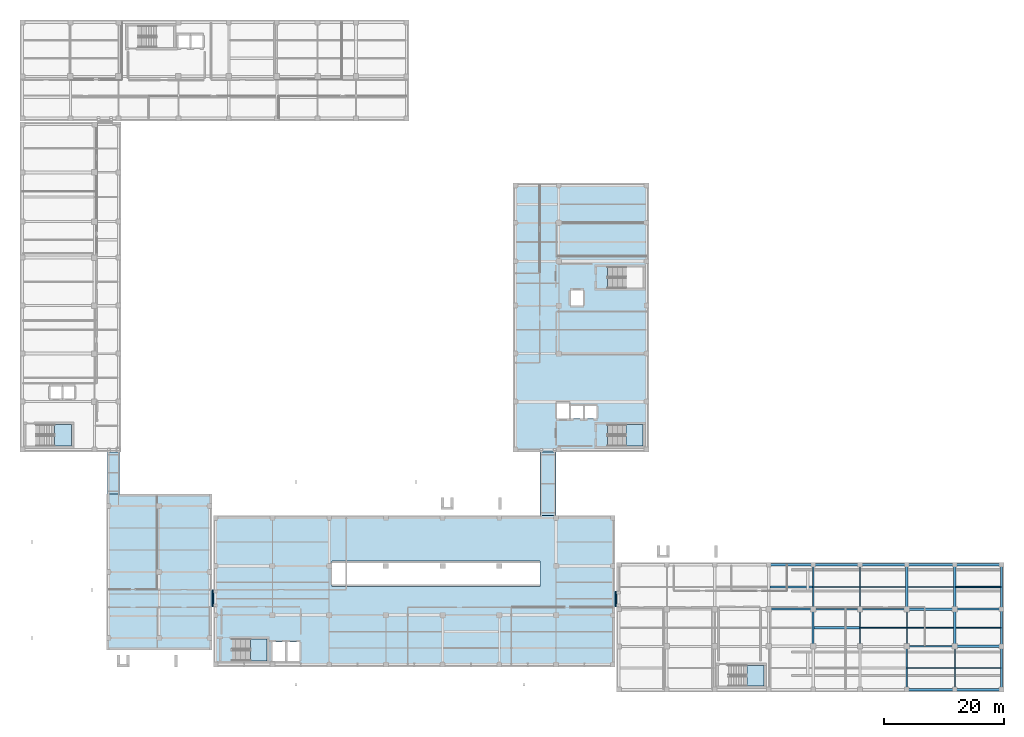
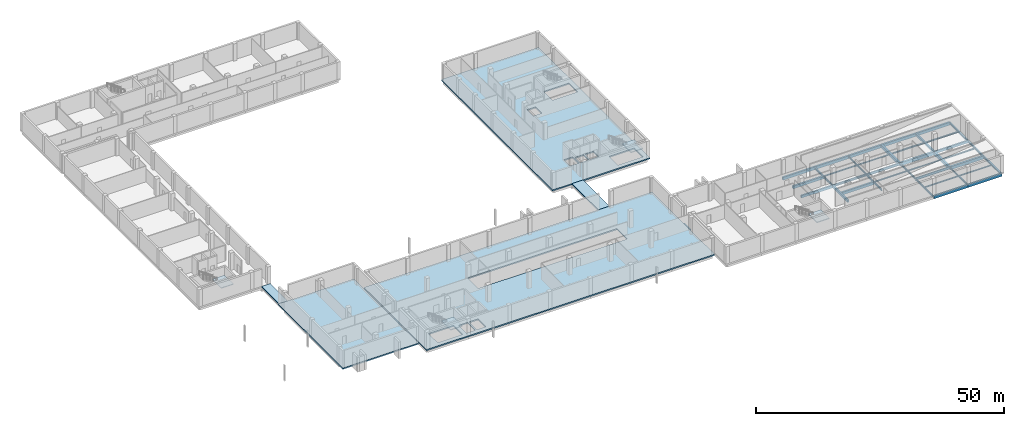
# One storey, part 13 of 31: 38 beams, 11 slabs, 4 elements without a shape of their own.
"""IFC4 building model written with IfcOpenShell, lengths in metres."""

from ifc_helpers import new_model, si_unit, direction, frame, origin, origin_2d, place, context, subcontext, project, spatial, polyline, rectangle, i_section, outline, extrude, material, layer, layer_set, material_profile, profile_set, type_object, element, aggregate, save


model = new_model("IFC4")

# Units and contexts
model_context = context("Model", 3, precision=1e-05, world=origin(), true_north=direction((0.0, 1.0)))
body_context = subcontext(model_context, "Body", "Model", "MODEL_VIEW")
ifc_project = project(units=[si_unit("LENGTHUNIT", "METRE"), si_unit("AREAUNIT", "SQUARE_METRE"), si_unit("VOLUMEUNIT", "CUBIC_METRE"), si_unit("PLANEANGLEUNIT", "RADIAN"), si_unit("MASSUNIT", "GRAM", prefix="KILO")], contexts=[model_context])

# Site, building, storey
site_placement = place(None, origin())
site = spatial("IfcSite", under=ifc_project, at=site_placement, CompositionType="ELEMENT")
building_placement = place(site_placement, origin())
building = spatial("IfcBuilding", under=site, at=building_placement, Name="Qalavern Law Courts", CompositionType="ELEMENT")
storey_placement = place(building_placement, frame((0.0, 0.0, -4.199951171875)))
storey = spatial("IfcBuildingStorey", under=building, at=storey_placement, Name="B1", CompositionType="ELEMENT", Elevation=-4.199951171875)

# Beams
ifc_material_1 = material(Name="Steel S355", Category="steel")
ifc_material_profile_1 = material_profile(ifc_material_1, i_section(OverallWidth=0.300048828125, OverallDepth=0.489990234375, WebThickness=0.011962890625, FlangeThickness=0.02294921875, FilletRadius=0.027099609375, at=origin_2d()), Name="HEA 500")
ifc_profile_set_1 = profile_set([ifc_material_profile_1], Name="Steel S355")
beam_type_1 = type_object("IfcBeamType", Name="STR-BM-HEA500", PredefinedType="BEAM", material=ifc_profile_set_1)
beam_1_placement = place(storey_placement, frame((134.199951171875, 14.800048828125, -0.56494140625), z_axis=(1.0, 0.0, 0.0), x_axis=(0.0, 1.0, 0.0)))
element("IfcBeam", 1, at=beam_1_placement, inside=storey, type_object=beam_type_1, Name="V6 X-beam 3-5 B1", PredefinedType="BEAM", context=body_context, shape_type="SweptSolid", body=[
    extrude(i_section(OverallWidth=0.300048828125, OverallDepth=0.489990234375, WebThickness=0.011962890625, FlangeThickness=0.02294921875, FilletRadius=0.027099609375, at=origin_2d()), origin(), (0.0, 0.0, 1.0), 7.800048828125),
])
ifc_material_profile_2 = material_profile(ifc_material_1, i_section(OverallWidth=0.179931640625, OverallDepth=0.39990234375, WebThickness=0.008544921875, FlangeThickness=0.013427734375, FilletRadius=0.02099609375, at=origin_2d()), Name="IPE 400")
ifc_profile_set_2 = profile_set([ifc_material_profile_2], Name="Steel S355")
beam_type_2 = type_object("IfcBeamType", Name="STR-BM-IPE400", PredefinedType="BEAM", material=ifc_profile_set_2)
beam_2_placement = place(storey_placement, frame((142.0, 14.800048828125, -0.52001953125), z_axis=(0.0, 1.0, 0.0), x_axis=(-1.0, 0.0, 0.0)))
element("IfcBeam", 2, at=beam_2_placement, inside=storey, type_object=beam_type_2, Name="V6 Y-beam 6-3 B1", PredefinedType="BEAM", context=body_context, shape_type="SweptSolid", body=[
    extrude(i_section(OverallWidth=0.179931640625, OverallDepth=0.39990234375, WebThickness=0.008544921875, FlangeThickness=0.013427734375, FilletRadius=0.02099609375, at=origin_2d()), origin(), (0.0, 0.0, 1.0), 7.39990234375),
])
beam_3_placement = place(storey_placement, frame((149.800048828125, 8.60009765625, -0.52001953125), z_axis=(0.0, 1.0, 0.0), x_axis=(-1.0, 0.0, 0.0)))
element("IfcBeam", 3, at=beam_3_placement, inside=storey, type_object=beam_type_2, Name="V6 Y-beam 7-2 B1", PredefinedType="BEAM", context=body_context, shape_type="SweptSolid", body=[
    extrude(i_section(OverallWidth=0.179931640625, OverallDepth=0.39990234375, WebThickness=0.008544921875, FlangeThickness=0.013427734375, FilletRadius=0.02099609375, at=origin_2d()), origin(), (0.0, 0.0, 1.0), 6.199951171875),
])
beam_4_placement = place(storey_placement, frame((157.800048828125, 1.39990234375, -0.52001953125), z_axis=(0.0, 1.0, 0.0), x_axis=(-1.0, 0.0, 0.0)))
element("IfcBeam", 4, at=beam_4_placement, inside=storey, type_object=beam_type_2, Name="V6 Y-beam 8-1 B1", PredefinedType="BEAM", context=body_context, shape_type="SweptSolid", body=[
    extrude(i_section(OverallWidth=0.179931640625, OverallDepth=0.39990234375, WebThickness=0.008544921875, FlangeThickness=0.013427734375, FilletRadius=0.02099609375, at=origin_2d()), origin(), (0.0, 0.0, 1.0), 7.2001953125),
])
ifc_material_profile_3 = material_profile(ifc_material_1, i_section(OverallWidth=0.199951171875, OverallDepth=0.5, WebThickness=0.01025390625, FlangeThickness=0.01611328125, FilletRadius=0.02099609375, at=origin_2d()), Name="IPE 500")
ifc_profile_set_3 = profile_set([ifc_material_profile_3], Name="Steel S355")
beam_type_3 = type_object("IfcBeamType", Name="STR-BM-IPE500", PredefinedType="BEAM", material=ifc_profile_set_3)
beam_5_placement = place(storey_placement, frame((134.199951171875, 14.800048828125, -0.570068359375), z_axis=(0.0, 1.0, 0.0), x_axis=(-1.0, 0.0, 0.0)))
element("IfcBeam", 5, at=beam_5_placement, inside=storey, type_object=beam_type_3, Name="V6 Y-beam 5-3 B1", PredefinedType="BEAM", context=body_context, shape_type="SweptSolid", body=[
    extrude(i_section(OverallWidth=0.199951171875, OverallDepth=0.5, WebThickness=0.01025390625, FlangeThickness=0.01611328125, FilletRadius=0.02099609375, at=origin_2d()), origin(), (0.0, 0.0, 1.0), 7.39990234375),
])
beam_6_placement = place(storey_placement, frame((142.0, 8.60009765625, -0.570068359375), z_axis=(0.0, 1.0, 0.0), x_axis=(-1.0, 0.0, 0.0)))
element("IfcBeam", 6, at=beam_6_placement, inside=storey, type_object=beam_type_3, Name="V6 Y-beam 6-2 B1", PredefinedType="BEAM", context=body_context, shape_type="SweptSolid", body=[
    extrude(i_section(OverallWidth=0.199951171875, OverallDepth=0.5, WebThickness=0.01025390625, FlangeThickness=0.01611328125, FilletRadius=0.02099609375, at=origin_2d()), origin(), (0.0, 0.0, 1.0), 6.199951171875),
])
beam_7_placement = place(storey_placement, frame((149.800048828125, 1.39990234375, -0.570068359375), z_axis=(0.0, 1.0, 0.0), x_axis=(-1.0, 0.0, 0.0)))
element("IfcBeam", 7, at=beam_7_placement, inside=storey, type_object=beam_type_3, Name="V6 Y-beam 7-1 B1", PredefinedType="BEAM", context=body_context, shape_type="SweptSolid", body=[
    extrude(i_section(OverallWidth=0.199951171875, OverallDepth=0.5, WebThickness=0.01025390625, FlangeThickness=0.01611328125, FilletRadius=0.02099609375, at=origin_2d()), origin(), (0.0, 0.0, 1.0), 7.2001953125),
])
ifc_material_profile_4 = material_profile(ifc_material_1, i_section(OverallWidth=0.219970703125, OverallDepth=0.60009765625, WebThickness=0.011962890625, FlangeThickness=0.01904296875, FilletRadius=0.02392578125, at=origin_2d()), Name="IPE 600")
ifc_profile_set_4 = profile_set([ifc_material_profile_4], Name="Steel S355")
beam_type_4 = type_object("IfcBeamType", Name="STR-BM-IPE600", PredefinedType="BEAM", material=ifc_profile_set_4)
beam_8_placement = place(storey_placement, frame((149.800048828125, 8.60009765625, -0.6201171875), z_axis=(1.0, 0.0, 0.0), x_axis=(0.0, 1.0, 0.0)))
element("IfcBeam", 8, at=beam_8_placement, inside=storey, type_object=beam_type_4, Name="V6 X-beam 2-7 B1", PredefinedType="BEAM", context=body_context, shape_type="SweptSolid", body=[
    extrude(i_section(OverallWidth=0.219970703125, OverallDepth=0.60009765625, WebThickness=0.011962890625, FlangeThickness=0.01904296875, FilletRadius=0.02392578125, at=origin_2d()), origin(), (0.0, 0.0, 1.0), 8.0),
])
beam_9_placement = place(storey_placement, frame((142.0, 14.800048828125, -0.6201171875), z_axis=(1.0, 0.0, 0.0), x_axis=(0.0, 1.0, 0.0)))
element("IfcBeam", 9, at=beam_9_placement, inside=storey, type_object=beam_type_4, Name="V6 X-beam 3-6 B1", PredefinedType="BEAM", context=body_context, shape_type="SweptSolid", body=[
    extrude(i_section(OverallWidth=0.219970703125, OverallDepth=0.60009765625, WebThickness=0.011962890625, FlangeThickness=0.01904296875, FilletRadius=0.02392578125, at=origin_2d()), origin(), (0.0, 0.0, 1.0), 7.800048828125),
])
ifc_material_2 = material(Name="Concrete C35/45", Category="concrete")
ifc_material_profile_5 = material_profile(ifc_material_2, rectangle(XDim=0.35009765625, YDim=0.550048828125, at=origin_2d()), Name="RC 350x550")
ifc_profile_set_5 = profile_set([ifc_material_profile_5], Name="Concrete C35/45")
beam_type_5 = type_object("IfcBeamType", Name="STR-BM-RC350x550", PredefinedType="BEAM", material=ifc_profile_set_5)
beam_10_placement = place(storey_placement, frame((134.199951171875, 8.60009765625, -0.594970703125), z_axis=(0.0, 1.0, 0.0), x_axis=(-1.0, 0.0, 0.0)))
element("IfcBeam", 10, at=beam_10_placement, inside=storey, type_object=beam_type_5, Name="V6 Y-beam 5-2 B1", PredefinedType="BEAM", context=body_context, shape_type="SweptSolid", body=[
    extrude(rectangle(XDim=0.35009765625, YDim=0.550048828125, at=origin_2d()), origin(), (0.0, 0.0, 1.0), 6.199951171875),
])
beam_11_placement = place(storey_placement, frame((157.800048828125, 14.800048828125, -0.594970703125), z_axis=(0.0, 1.0, 0.0), x_axis=(-1.0, 0.0, 0.0)))
element("IfcBeam", 11, at=beam_11_placement, inside=storey, type_object=beam_type_5, Name="V6 Y-beam 8-3 B1", PredefinedType="BEAM", context=body_context, shape_type="SweptSolid", body=[
    extrude(rectangle(XDim=0.35009765625, YDim=0.550048828125, at=origin_2d()), origin(), (0.0, 0.0, 1.0), 7.39990234375),
])
ifc_material_profile_6 = material_profile(ifc_material_2, rectangle(XDim=0.35009765625, YDim=0.60009765625, at=origin_2d()), Name="RC 350x600")
ifc_profile_set_6 = profile_set([ifc_material_profile_6], Name="Concrete C35/45")
beam_type_6 = type_object("IfcBeamType", Name="STR-BM-RC350x600", PredefinedType="BEAM", material=ifc_profile_set_6)
beam_12_placement = place(storey_placement, frame((126.800048828125, 14.800048828125, -0.6201171875), z_axis=(1.0, 0.0, 0.0), x_axis=(0.0, 1.0, 0.0)))
element("IfcBeam", 12, at=beam_12_placement, inside=storey, type_object=beam_type_6, Name="V6 X-beam 3-4 B1", PredefinedType="BEAM", context=body_context, shape_type="SweptSolid", body=[
    extrude(rectangle(XDim=0.35009765625, YDim=0.60009765625, at=origin_2d()), origin(), (0.0, 0.0, 1.0), 7.39990234375),
])
beam_13_placement = place(storey_placement, frame((157.800048828125, 14.800048828125, -0.6201171875), z_axis=(1.0, 0.0, 0.0), x_axis=(0.0, 1.0, 0.0)))
element("IfcBeam", 13, at=beam_13_placement, inside=storey, type_object=beam_type_6, Name="V6 X-beam 3-8 B1", PredefinedType="BEAM", context=body_context, shape_type="SweptSolid", body=[
    extrude(rectangle(XDim=0.35009765625, YDim=0.60009765625, at=origin_2d()), origin(), (0.0, 0.0, 1.0), 7.800048828125),
])
ifc_material_3 = material(Name="Concrete C40/50", Category="concrete")
ifc_material_profile_7 = material_profile(ifc_material_3, rectangle(XDim=0.449951171875, YDim=0.75, at=origin_2d()), Name="RC 450x750")
ifc_profile_set_7 = profile_set([ifc_material_profile_7], Name="Concrete C40/50")
beam_type_7 = type_object("IfcBeamType", Name="STR-BM-RC450x750", PredefinedType="BEAM", material=ifc_profile_set_7)
beam_14_placement = place(storey_placement, frame((157.800048828125, 8.60009765625, -0.695068359375), z_axis=(1.0, 0.0, 0.0), x_axis=(0.0, 1.0, 0.0)))
element("IfcBeam", 14, at=beam_14_placement, inside=storey, type_object=beam_type_7, Name="V6 X-beam 2-8 B1", PredefinedType="BEAM", context=body_context, shape_type="SweptSolid", body=[
    extrude(rectangle(XDim=0.449951171875, YDim=0.75, at=origin_2d()), origin(), (0.0, 0.0, 1.0), 7.800048828125),
])
beam_15_placement = place(storey_placement, frame((149.800048828125, 14.800048828125, -0.695068359375), z_axis=(1.0, 0.0, 0.0), x_axis=(0.0, 1.0, 0.0)))
element("IfcBeam", 15, at=beam_15_placement, inside=storey, type_object=beam_type_7, Name="V6 X-beam 3-7 B1", PredefinedType="BEAM", context=body_context, shape_type="SweptSolid", body=[
    extrude(rectangle(XDim=0.449951171875, YDim=0.75, at=origin_2d()), origin(), (0.0, 0.0, 1.0), 8.0),
])
beam_16_placement = place(storey_placement, frame((149.800048828125, 14.800048828125, -0.695068359375), z_axis=(0.0, 1.0, 0.0), x_axis=(-1.0, 0.0, 0.0)))
element("IfcBeam", 16, at=beam_16_placement, inside=storey, type_object=beam_type_7, Name="V6 Y-beam 7-3 B1", PredefinedType="BEAM", context=body_context, shape_type="SweptSolid", body=[
    extrude(rectangle(XDim=0.449951171875, YDim=0.75, at=origin_2d()), origin(), (0.0, 0.0, 1.0), 7.39990234375),
])
beam_17_placement = place(storey_placement, frame((157.800048828125, 8.60009765625, -0.695068359375), z_axis=(0.0, 1.0, 0.0), x_axis=(-1.0, 0.0, 0.0)))
element("IfcBeam", 17, at=beam_17_placement, inside=storey, type_object=beam_type_7, Name="V6 Y-beam 8-2 B1", PredefinedType="BEAM", context=body_context, shape_type="SweptSolid", body=[
    extrude(rectangle(XDim=0.449951171875, YDim=0.75, at=origin_2d()), origin(), (0.0, 0.0, 1.0), 6.199951171875),
])
ifc_material_profile_8 = material_profile(ifc_material_1, i_section(OverallWidth=0.135009765625, OverallDepth=0.27001953125, WebThickness=0.006591796875, FlangeThickness=0.01025390625, FilletRadius=0.014892578125, at=origin_2d()), Name="IPE 270")
ifc_profile_set_8 = profile_set([ifc_material_profile_8], Name="Steel S355")
beam_type_8 = type_object("IfcBeamType", Name="STR-JST-IPE270", PredefinedType="JOIST", material=ifc_profile_set_8)
beam_18_placement = place(storey_placement, frame((150.02294921875, 18.5, -0.455078125), z_axis=(1.0, 0.0, 0.0), x_axis=(0.0, 1.0, 0.0)))
element("IfcBeam", 18, at=beam_18_placement, inside=storey, type_object=beam_type_8, Name="V6 secondary joist 7.3.1 B1", PredefinedType="JOIST", context=body_context, shape_type="SweptSolid", body=[
    extrude(i_section(OverallWidth=0.135009765625, OverallDepth=0.27001953125, WebThickness=0.006591796875, FlangeThickness=0.01025390625, FilletRadius=0.014892578125, at=origin_2d()), origin(), (0.0, 0.0, 1.0), 7.60400390625),
])
beam_19_placement = place(storey_placement, frame((158.02294921875, 11.699951171875, -0.455078125), z_axis=(1.0, 0.0, 0.0), x_axis=(0.0, 1.0, 0.0)))
element("IfcBeam", 19, at=beam_19_placement, inside=storey, type_object=beam_type_8, Name="V6 secondary joist 8.2.1 B1", PredefinedType="JOIST", context=body_context, shape_type="SweptSolid", body=[
    extrude(i_section(OverallWidth=0.135009765625, OverallDepth=0.27001953125, WebThickness=0.006591796875, FlangeThickness=0.01025390625, FilletRadius=0.014892578125, at=origin_2d()), origin(), (0.0, 0.0, 1.0), 7.428955078125),
])
ifc_material_profile_9 = material_profile(ifc_material_1, i_section(OverallWidth=0.14990234375, OverallDepth=0.300048828125, WebThickness=0.007080078125, FlangeThickness=0.0107421875, FilletRadius=0.014892578125, at=origin_2d()), Name="IPE 300")
ifc_profile_set_9 = profile_set([ifc_material_profile_9], Name="Steel S355")
beam_type_9 = type_object("IfcBeamType", Name="STR-JST-IPE300", PredefinedType="JOIST", material=ifc_profile_set_9)
beam_20_placement = place(storey_placement, frame((142.087890625, 18.5, -0.469970703125), z_axis=(1.0, 0.0, 0.0), x_axis=(0.0, 1.0, 0.0)))
element("IfcBeam", 20, at=beam_20_placement, inside=storey, type_object=beam_type_9, Name="V6 secondary joist 6.3.1 B1", PredefinedType="JOIST", context=body_context, shape_type="SweptSolid", body=[
    extrude(i_section(OverallWidth=0.14990234375, OverallDepth=0.300048828125, WebThickness=0.007080078125, FlangeThickness=0.0107421875, FilletRadius=0.014892578125, at=origin_2d()), origin(), (0.0, 0.0, 1.0), 7.489013671875),
])
beam_21_placement = place(storey_placement, frame((149.887939453125, 11.699951171875, -0.469970703125), z_axis=(1.0, 0.0, 0.0), x_axis=(0.0, 1.0, 0.0)))
element("IfcBeam", 21, at=beam_21_placement, inside=storey, type_object=beam_type_9, Name="V6 secondary joist 7.2.1 B1", PredefinedType="JOIST", context=body_context, shape_type="SweptSolid", body=[
    extrude(i_section(OverallWidth=0.14990234375, OverallDepth=0.300048828125, WebThickness=0.007080078125, FlangeThickness=0.0107421875, FilletRadius=0.014892578125, at=origin_2d()), origin(), (0.0, 0.0, 1.0), 7.68896484375),
])
beam_22_placement = place(storey_placement, frame((157.887939453125, 5.0, -0.469970703125), z_axis=(1.0, 0.0, 0.0), x_axis=(0.0, 1.0, 0.0)))
element("IfcBeam", 22, at=beam_22_placement, inside=storey, type_object=beam_type_9, Name="V6 secondary joist 8.1.1 B1", PredefinedType="JOIST", context=body_context, shape_type="SweptSolid", body=[
    extrude(i_section(OverallWidth=0.14990234375, OverallDepth=0.300048828125, WebThickness=0.007080078125, FlangeThickness=0.0107421875, FilletRadius=0.014892578125, at=origin_2d()), origin(), (0.0, 0.0, 1.0), 7.56396484375),
])
ifc_material_profile_10 = material_profile(ifc_material_1, i_section(OverallWidth=0.159912109375, OverallDepth=0.330078125, WebThickness=0.007568359375, FlangeThickness=0.011474609375, FilletRadius=0.01806640625, at=origin_2d()), Name="IPE 330")
ifc_profile_set_10 = profile_set([ifc_material_profile_10], Name="Steel S355")
beam_type_10 = type_object("IfcBeamType", Name="STR-JST-IPE330", PredefinedType="JOIST", material=ifc_profile_set_10)
for number, where, z_axis, x_axis, name in (
    (23, (134.298095703125, 18.5, -0.485107421875), (1.0, 0.0, 0.0), (0.0, 1.0, 0.0), "V6 secondary joist 5.3.1 B1"),
    (24, (142.097900390625, 11.699951171875, -0.485107421875), (1.0, 0.0, 0.0), (0.0, 1.0, 0.0), "V6 secondary joist 6.2.1 B1"),
):
    element("IfcBeam", number, at=place(storey_placement, frame(where, z_axis=z_axis, x_axis=x_axis)), inside=storey, type_object=beam_type_10, Name=name, PredefinedType="JOIST", context=body_context, shape_type="SweptSolid", body=[
        extrude(i_section(OverallWidth=0.159912109375, OverallDepth=0.330078125, WebThickness=0.007568359375, FlangeThickness=0.011474609375, FilletRadius=0.01806640625, at=origin_2d()), origin(), (0.0, 0.0, 1.0), 7.614013671875),
    ])
beam_23_placement = place(storey_placement, frame((149.89794921875, 5.0, -0.485107421875), z_axis=(1.0, 0.0, 0.0), x_axis=(0.0, 1.0, 0.0)))
element("IfcBeam", 25, at=beam_23_placement, inside=storey, type_object=beam_type_10, Name="V6 secondary joist 7.1.1 B1", PredefinedType="JOIST", context=body_context, shape_type="SweptSolid", body=[
    extrude(i_section(OverallWidth=0.159912109375, OverallDepth=0.330078125, WebThickness=0.007568359375, FlangeThickness=0.011474609375, FilletRadius=0.01806640625, at=origin_2d()), origin(), (0.0, 0.0, 1.0), 7.81396484375),
])
ifc_material_profile_11 = material_profile(ifc_material_1, i_section(OverallWidth=0.169921875, OverallDepth=0.360107421875, WebThickness=0.008056640625, FlangeThickness=0.0126953125, FilletRadius=0.01806640625, at=origin_2d()), Name="IPE 360")
ifc_profile_set_11 = profile_set([ifc_material_profile_11], Name="Steel S355")
beam_type_11 = type_object("IfcBeamType", Name="STR-JST-IPE360", PredefinedType="JOIST", material=ifc_profile_set_11)
beam_24_placement = place(storey_placement, frame((157.972900390625, 18.5, -0.5), z_axis=(1.0, 0.0, 0.0), x_axis=(0.0, 1.0, 0.0)))
element("IfcBeam", 26, at=beam_24_placement, inside=storey, type_object=beam_type_11, Name="V6 secondary joist 8.3.1 B1", PredefinedType="JOIST", context=body_context, shape_type="SweptSolid", body=[
    extrude(i_section(OverallWidth=0.169921875, OverallDepth=0.360107421875, WebThickness=0.008056640625, FlangeThickness=0.0126953125, FilletRadius=0.01806640625, at=origin_2d()), origin(), (0.0, 0.0, 1.0), 7.47900390625),
])
ifc_material_profile_12 = material_profile(ifc_material_2, rectangle(XDim=0.39990234375, YDim=0.64990234375, at=origin_2d()), Name="RC 400x650")
ifc_profile_set_12 = profile_set([ifc_material_profile_12], Name="Concrete C35/45")
beam_type_12 = type_object("IfcBeamType", Name="STR-JST-RC400x650", PredefinedType="JOIST", material=ifc_profile_set_12)
beam_25_placement = place(storey_placement, frame((126.972900390625, 18.5, -0.64501953125), z_axis=(1.0, 0.0, 0.0), x_axis=(0.0, 1.0, 0.0)))
element("IfcBeam", 27, at=beam_25_placement, inside=storey, type_object=beam_type_12, Name="V6 secondary joist 4.3.1 B1", PredefinedType="JOIST", context=body_context, shape_type="SweptSolid", body=[
    extrude(rectangle(XDim=0.39990234375, YDim=0.64990234375, at=origin_2d()), origin(), (0.0, 0.0, 1.0), 7.129150390625),
])
beam_26_placement = place(storey_placement, frame((134.373046875, 11.699951171875, -0.64501953125), z_axis=(1.0, 0.0, 0.0), x_axis=(0.0, 1.0, 0.0)))
element("IfcBeam", 28, at=beam_26_placement, inside=storey, type_object=beam_type_12, Name="V6 secondary joist 5.2.1 B1", PredefinedType="JOIST", context=body_context, shape_type="SweptSolid", body=[
    extrude(rectangle(XDim=0.39990234375, YDim=0.64990234375, at=origin_2d()), origin(), (0.0, 0.0, 1.0), 7.529052734375),
])
ifc_material_profile_13 = material_profile(ifc_material_1, i_section(OverallWidth=0.300048828125, OverallDepth=0.449951171875, WebThickness=0.013916015625, FlangeThickness=0.02587890625, FilletRadius=0.027099609375, at=origin_2d()), Name="HEB 450")
ifc_profile_set_13 = profile_set([ifc_material_profile_13], Name="Steel S355")
beam_type_13 = type_object("IfcBeamType", Name="STR-SP-HEB450", PredefinedType="SPANDREL", material=ifc_profile_set_13)
beam_27_placement = place(storey_placement, frame((165.60009765625, 1.39990234375, -0.545166015625), z_axis=(0.0, 1.0, 0.0), x_axis=(-1.0, 0.0, 0.0)))
element("IfcBeam", 29, at=beam_27_placement, inside=storey, type_object=beam_type_13, Name="V6 Y-beam 9-1 B1", PredefinedType="SPANDREL", context=body_context, shape_type="SweptSolid", body=[
    extrude(i_section(OverallWidth=0.300048828125, OverallDepth=0.449951171875, WebThickness=0.013916015625, FlangeThickness=0.02587890625, FilletRadius=0.027099609375, at=origin_2d()), origin(), (0.0, 0.0, 1.0), 7.2001953125),
])
beam_28_placement = place(storey_placement, frame((165.60009765625, 8.60009765625, -0.545166015625), z_axis=(0.0, 1.0, 0.0), x_axis=(-1.0, 0.0, 0.0)))
element("IfcBeam", 30, at=beam_28_placement, inside=storey, type_object=beam_type_13, Name="V6 Y-beam 9-2 B1", PredefinedType="SPANDREL", context=body_context, shape_type="SweptSolid", body=[
    extrude(i_section(OverallWidth=0.300048828125, OverallDepth=0.449951171875, WebThickness=0.013916015625, FlangeThickness=0.02587890625, FilletRadius=0.027099609375, at=origin_2d()), origin(), (0.0, 0.0, 1.0), 6.199951171875),
])
beam_29_placement = place(storey_placement, frame((165.60009765625, 14.800048828125, -0.545166015625), z_axis=(0.0, 1.0, 0.0), x_axis=(-1.0, 0.0, 0.0)))
element("IfcBeam", 31, at=beam_29_placement, inside=storey, type_object=beam_type_13, Name="V6 Y-beam 9-3 B1", PredefinedType="SPANDREL", context=body_context, shape_type="SweptSolid", body=[
    extrude(i_section(OverallWidth=0.300048828125, OverallDepth=0.449951171875, WebThickness=0.013916015625, FlangeThickness=0.02587890625, FilletRadius=0.027099609375, at=origin_2d()), origin(), (0.0, 0.0, 1.0), 7.39990234375),
])
ifc_material_profile_14 = material_profile(ifc_material_3, rectangle(XDim=0.39990234375, YDim=0.699951171875, at=origin_2d()), Name="RC 400x700")
ifc_profile_set_14 = profile_set([ifc_material_profile_14], Name="Concrete C40/50")
beam_type_14 = type_object("IfcBeamType", Name="STR-SP-RC400x700", PredefinedType="SPANDREL", material=ifc_profile_set_14)
beam_30_placement = place(storey_placement, frame((149.800048828125, 1.39990234375, -0.670166015625), z_axis=(1.0, 0.0, 0.0), x_axis=(0.0, 1.0, 0.0)))
element("IfcBeam", 32, at=beam_30_placement, inside=storey, type_object=beam_type_14, Name="V6 X-beam 1-7 B1", PredefinedType="SPANDREL", context=body_context, shape_type="SweptSolid", body=[
    extrude(rectangle(XDim=0.39990234375, YDim=0.699951171875, at=origin_2d()), origin(), (0.0, 0.0, 1.0), 8.0),
])
beam_31_placement = place(storey_placement, frame((157.800048828125, 1.39990234375, -0.670166015625), z_axis=(1.0, 0.0, 0.0), x_axis=(0.0, 1.0, 0.0)))
element("IfcBeam", 33, at=beam_31_placement, inside=storey, type_object=beam_type_14, Name="V6 X-beam 1-8 B1", PredefinedType="SPANDREL", context=body_context, shape_type="SweptSolid", body=[
    extrude(rectangle(XDim=0.39990234375, YDim=0.699951171875, at=origin_2d()), origin(), (0.0, 0.0, 1.0), 7.800048828125),
])
beam_32_placement = place(storey_placement, frame((126.800048828125, 22.199951171875, -0.670166015625), z_axis=(1.0, 0.0, 0.0), x_axis=(0.0, 1.0, 0.0)))
element("IfcBeam", 34, at=beam_32_placement, inside=storey, type_object=beam_type_14, Name="V6 X-beam 4-4 B1", PredefinedType="SPANDREL", context=body_context, shape_type="SweptSolid", body=[
    extrude(rectangle(XDim=0.39990234375, YDim=0.699951171875, at=origin_2d()), origin(), (0.0, 0.0, 1.0), 7.39990234375),
])
for number, where, z_axis, x_axis, name in (
    (35, (134.199951171875, 22.199951171875, -0.670166015625), (1.0, 0.0, 0.0), (0.0, 1.0, 0.0), "V6 X-beam 4-5 B1"),
    (36, (142.0, 22.199951171875, -0.670166015625), (1.0, 0.0, 0.0), (0.0, 1.0, 0.0), "V6 X-beam 4-6 B1"),
):
    element("IfcBeam", number, at=place(storey_placement, frame(where, z_axis=z_axis, x_axis=x_axis)), inside=storey, type_object=beam_type_14, Name=name, PredefinedType="SPANDREL", context=body_context, shape_type="SweptSolid", body=[
        extrude(rectangle(XDim=0.39990234375, YDim=0.699951171875, at=origin_2d()), origin(), (0.0, 0.0, 1.0), 7.800048828125),
    ])
beam_33_placement = place(storey_placement, frame((149.800048828125, 22.199951171875, -0.670166015625), z_axis=(1.0, 0.0, 0.0), x_axis=(0.0, 1.0, 0.0)))
element("IfcBeam", 37, at=beam_33_placement, inside=storey, type_object=beam_type_14, Name="V6 X-beam 4-7 B1", PredefinedType="SPANDREL", context=body_context, shape_type="SweptSolid", body=[
    extrude(rectangle(XDim=0.39990234375, YDim=0.699951171875, at=origin_2d()), origin(), (0.0, 0.0, 1.0), 8.0),
])
beam_34_placement = place(storey_placement, frame((157.800048828125, 22.199951171875, -0.670166015625), z_axis=(1.0, 0.0, 0.0), x_axis=(0.0, 1.0, 0.0)))
element("IfcBeam", 38, at=beam_34_placement, inside=storey, type_object=beam_type_14, Name="V6 X-beam 4-8 B1", PredefinedType="SPANDREL", context=body_context, shape_type="SweptSolid", body=[
    extrude(rectangle(XDim=0.39990234375, YDim=0.699951171875, at=origin_2d()), origin(), (0.0, 0.0, 1.0), 7.800048828125),
])

# Stair, slab
stair_type_1 = type_object("IfcStairType", Name="INT-STAIR-1700", PredefinedType="HALF_TURN_STAIR", material=ifc_material_2)
stair_1_placement = place(storey_placement, origin())
stair_1 = element("IfcStair", 39, at=stair_1_placement, inside=storey, type_object=stair_type_1, Name="B1 ST-K1A", PredefinedType="HALF_TURN_STAIR")
ifc_layer_1 = layer(ifc_material_2, 0.199951171875)
ifc_layer_set_1 = layer_set([ifc_layer_1], Name="Concrete C35/45")
slab_type_1 = type_object("IfcSlabType", Name="INT-LANDING-200", PredefinedType="LANDING", material=ifc_layer_set_1)
slab_1_placement = place(storey_placement, frame((0.0, 0.0, 1.89990234375)))
slab_1 = element("IfcSlab", 40, at=slab_1_placement, type_object=slab_type_1, Name="ST-K1A landing 1", PredefinedType="LANDING", context=body_context, shape_type="SweptSolid", body=[
    extrude(outline(polyline([(102.97998046875, 42.0), (105.800048828125, 42.0), (105.800048828125, 45.550048828125), (102.97998046875, 45.550048828125), (102.97998046875, 42.0)])), origin(), (0.0, 0.0, 1.0), 0.199951171875),
])
aggregate(stair_1, [slab_1])

stair_2_placement = place(storey_placement, origin())
stair_2 = element("IfcStair", 41, at=stair_2_placement, inside=storey, type_object=stair_type_1, Name="B1 ST-K2", PredefinedType="HALF_TURN_STAIR")
slab_2_placement = place(storey_placement, frame((0.0, 0.0, 1.89990234375)))
slab_2 = element("IfcSlab", 42, at=slab_2_placement, type_object=slab_type_1, Name="ST-K2 landing 1", PredefinedType="LANDING", context=body_context, shape_type="SweptSolid", body=[
    extrude(outline(polyline([(7.780029296875, 42.0), (10.60009765625, 42.0), (10.60009765625, 45.550048828125), (7.780029296875, 45.550048828125), (7.780029296875, 42.0)])), origin(), (0.0, 0.0, 1.0), 0.199951171875),
])
aggregate(stair_2, [slab_2])

stair_type_2 = type_object("IfcStairType", Name="INT-STAIR-1750", PredefinedType="HALF_TURN_STAIR", material=ifc_material_2)
stair_3_placement = place(storey_placement, origin())
stair_3 = element("IfcStair", 43, at=stair_3_placement, inside=storey, type_object=stair_type_2, Name="B1 ST-K4", PredefinedType="HALF_TURN_STAIR")
slab_3_placement = place(storey_placement, frame((0.0, 0.0, 1.89990234375)))
slab_3 = element("IfcSlab", 44, at=slab_3_placement, type_object=slab_type_1, Name="ST-K4 landing 1", PredefinedType="LANDING", context=body_context, shape_type="SweptSolid", body=[
    extrude(outline(polyline([(40.429931640625, 6.199951171875), (43.199951171875, 6.199951171875), (43.199951171875, 9.85009765625), (40.429931640625, 9.85009765625), (40.429931640625, 6.199951171875)])), origin(), (0.0, 0.0, 1.0), 0.199951171875),
])
aggregate(stair_3, [slab_3])

stair_type_3 = type_object("IfcStairType", Name="INT-STAIR-1650", PredefinedType="HALF_TURN_STAIR", material=ifc_material_2)
stair_4_placement = place(storey_placement, origin())
stair_4 = element("IfcStair", 45, at=stair_4_placement, inside=storey, type_object=stair_type_3, Name="B1 ST-K5", PredefinedType="HALF_TURN_STAIR")
slab_4_placement = place(storey_placement, frame((0.0, 0.0, 1.89990234375)))
slab_4 = element("IfcSlab", 46, at=slab_4_placement, type_object=slab_type_1, Name="ST-K5 landing 1", PredefinedType="LANDING", context=body_context, shape_type="SweptSolid", body=[
    extrude(outline(polyline([(123.1298828125, 2.0), (126.0, 2.0), (126.0, 5.449951171875), (123.1298828125, 5.449951171875), (123.1298828125, 2.0)])), origin(), (0.0, 0.0, 1.0), 0.199951171875),
])
aggregate(stair_4, [slab_4])

# Slabs
ifc_layer_2 = layer(ifc_material_2, 0.320068359375)
ifc_layer_set_2 = layer_set([ifc_layer_2], Name="Concrete C35/45")
slab_type_2 = type_object("IfcSlabType", Name="STR-SLB-B1-320", PredefinedType="FLOOR", material=ifc_layer_set_2)
slab_5_placement = place(storey_placement, frame((0.0, 0.0, -0.320068359375)))
element("IfcSlab", 47, at=slab_5_placement, inside=storey, type_object=slab_type_2, Name="V1 floor slab B1", PredefinedType="FLOOR", context=body_context, shape_type="SweptSolid", body=[
    extrude(outline(polyline([(16.39990234375, 8.0), (34.0, 8.0), (34.0, 34.0), (16.39990234375, 34.0), (16.39990234375, 8.0)])), origin(), (0.0, 0.0, 1.0), 0.320068359375),
])
slab_6_placement = place(storey_placement, frame((0.0, 0.0, -0.320068359375)))
element("IfcSlab", 48, at=slab_6_placement, inside=storey, type_object=slab_type_2, Name="V2 floor slab B1", PredefinedType="FLOOR", context=body_context, shape_type="SweptSolid", body=[
    extrude(outline(polyline([(34.219970703125, 5.199951171875), (101.199951171875, 5.199951171875), (101.199951171875, 30.39990234375), (34.219970703125, 30.39990234375), (34.219970703125, 5.199951171875)]), holes=[polyline([(37.389892578125, 6.199951171875), (43.199951171875, 6.199951171875), (43.199951171875, 9.85009765625), (37.389892578125, 9.85009765625), (37.389892578125, 6.199951171875)]), polyline([(44.10009765625, 6.199951171875), (46.199951171875, 6.199951171875), (46.199951171875, 9.35009765625), (44.10009765625, 9.35009765625), (44.10009765625, 6.199951171875)]), polyline([(46.5, 6.199951171875), (48.60009765625, 6.199951171875), (48.60009765625, 9.35009765625), (46.5, 9.35009765625), (46.5, 6.199951171875)]), polyline([(54.0, 18.60009765625), (88.64990234375, 18.60009765625), (88.64990234375, 22.800048828125), (54.0, 22.800048828125), (54.0, 18.60009765625)])]), origin(), (0.0, 0.0, 1.0), 0.320068359375),
])
slab_7_placement = place(storey_placement, frame((0.0, 0.0, -0.320068359375)))
element("IfcSlab", 49, at=slab_7_placement, inside=storey, type_object=slab_type_2, Name="V4 floor slab B1", PredefinedType="FLOOR", context=body_context, shape_type="SweptSolid", body=[
    extrude(outline(polyline([(84.199951171875, 41.02001953125), (106.800048828125, 41.02001953125), (106.800048828125, 85.800048828125), (84.199951171875, 85.800048828125), (84.199951171875, 41.02001953125)]), holes=[polyline([(99.93994140625, 42.0), (105.800048828125, 42.0), (105.800048828125, 45.550048828125), (99.93994140625, 45.550048828125), (99.93994140625, 42.0)]), polyline([(91.5, 46.550048828125), (93.5, 46.550048828125), (93.5, 49.050048828125), (91.5, 49.050048828125), (91.5, 46.550048828125)]), polyline([(93.800048828125, 46.550048828125), (95.800048828125, 46.550048828125), (95.800048828125, 48.64990234375), (93.800048828125, 48.64990234375), (93.800048828125, 46.550048828125)]), polyline([(96.10009765625, 46.550048828125), (98.10009765625, 46.550048828125), (98.10009765625, 48.64990234375), (96.10009765625, 48.64990234375), (96.10009765625, 46.550048828125)]), polyline([(99.93994140625, 68.300048828125), (105.800048828125, 68.300048828125), (105.800048828125, 71.85009765625), (99.93994140625, 71.85009765625), (99.93994140625, 68.300048828125)]), polyline([(93.800048828125, 65.449951171875), (95.800048828125, 65.449951171875), (95.800048828125, 67.949951171875), (93.800048828125, 67.949951171875), (93.800048828125, 65.449951171875)])]), origin(), (0.0, 0.0, 1.0), 0.320068359375),
])
slab_8_placement = place(storey_placement, frame((0.0, 0.0, -0.320068359375)))
element("IfcSlab", 50, at=slab_8_placement, inside=storey, type_object=slab_type_2, Name="Bridge BR-V1-V2 deck slab B1", PredefinedType="FLOOR", context=body_context, shape_type="SweptSolid", body=[
    extrude(outline(polyline([(34.0, 15.199951171875), (34.219970703125, 15.199951171875), (34.219970703125, 18.0), (34.0, 18.0), (34.0, 15.199951171875)])), origin(), (0.0, 0.0, 1.0), 0.320068359375),
])
slab_9_placement = place(storey_placement, frame((0.0, 0.0, -0.320068359375)))
element("IfcSlab", 51, at=slab_9_placement, inside=storey, type_object=slab_type_2, Name="Bridge BR-V2-V6 deck slab B1", PredefinedType="FLOOR", context=body_context, shape_type="SweptSolid", body=[
    extrude(outline(polyline([(101.199951171875, 15.199951171875), (101.419921875, 15.199951171875), (101.419921875, 17.800048828125), (101.199951171875, 17.800048828125), (101.199951171875, 15.199951171875)])), origin(), (0.0, 0.0, 1.0), 0.320068359375),
])
slab_10_placement = place(storey_placement, frame((0.0, 0.0, -0.320068359375)))
element("IfcSlab", 52, at=slab_10_placement, inside=storey, type_object=slab_type_2, Name="Bridge BR-V1-V3 deck slab B1", PredefinedType="FLOOR", context=body_context, shape_type="SweptSolid", body=[
    extrude(outline(polyline([(16.60009765625, 34.0), (18.60009765625, 34.0), (18.60009765625, 41.02001953125), (16.60009765625, 41.02001953125), (16.60009765625, 34.0)])), origin(), (0.0, 0.0, 1.0), 0.320068359375),
])
slab_11_placement = place(storey_placement, frame((0.0, 0.0, -0.320068359375)))
element("IfcSlab", 53, at=slab_11_placement, inside=storey, type_object=slab_type_2, Name="Bridge BR-V2-V4 deck slab B1", PredefinedType="FLOOR", context=body_context, shape_type="SweptSolid", body=[
    extrude(outline(polyline([(88.699951171875, 30.39990234375), (91.300048828125, 30.39990234375), (91.300048828125, 41.02001953125), (88.699951171875, 41.02001953125), (88.699951171875, 30.39990234375)])), origin(), (0.0, 0.0, 1.0), 0.320068359375),
])

save(model, "model.ifc")
